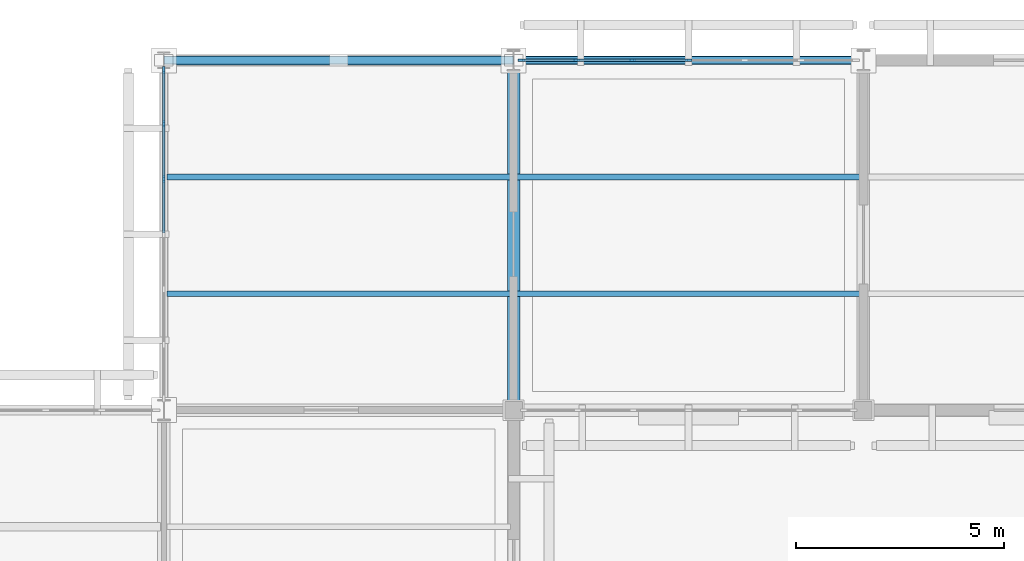
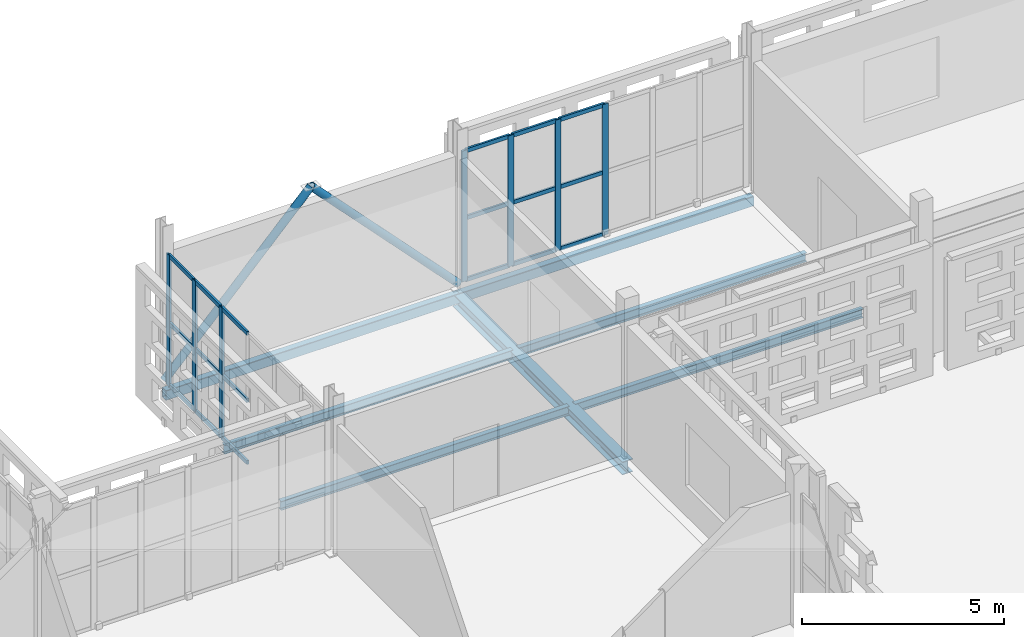
# One storey, part 51 of 203: 27 members, 7 beams, 2 elements without a shape of their own.
"""IFC4 building model written with IfcOpenShell, lengths in metres."""

from ifc_helpers import new_model, si_unit, direction, frame, origin, origin_2d, place, context, subcontext, project, spatial, rectangle, hollow_rectangle, hollow_circle, i_section, extrude, material, layer, layer_set, material_profile, profile_set, type_object, element, aggregate, save


model = new_model("IFC4")

# Units and contexts
model_context = context("Model", 3, precision=1e-05, world=origin(), true_north=direction((0.0, 1.0)))
body_context = subcontext(model_context, "Body", "Model", "MODEL_VIEW")
ifc_project = project(units=[si_unit("LENGTHUNIT", "METRE"), si_unit("AREAUNIT", "SQUARE_METRE"), si_unit("VOLUMEUNIT", "CUBIC_METRE"), si_unit("PLANEANGLEUNIT", "RADIAN"), si_unit("MASSUNIT", "GRAM", prefix="KILO")], contexts=[model_context])

# Site, building, storey
site_placement = place(None, origin())
site = spatial("IfcSite", under=ifc_project, at=site_placement, CompositionType="ELEMENT")
building_placement = place(site_placement, origin())
building = spatial("IfcBuilding", under=site, at=building_placement, Name="Varnapada Polytechnic", CompositionType="ELEMENT")
storey_placement = place(building_placement, frame((0.0, 0.0, 4.800048828125)))
storey = spatial("IfcBuildingStorey", under=building, at=storey_placement, Name="L01", CompositionType="ELEMENT", Elevation=4.800048828125)

# Beams
ifc_material_1 = material(Name="Steel S355", Category="steel")
ifc_material_profile_1 = material_profile(ifc_material_1, i_section(OverallWidth=0.135009765625, OverallDepth=0.27001953125, WebThickness=0.006591796875, FlangeThickness=0.01025390625, FilletRadius=0.014892578125, at=origin_2d()), Name="IPE 270")
ifc_profile_set_1 = profile_set([ifc_material_profile_1], Name="Steel S355")
beam_type_1 = type_object("IfcBeamType", Name="Mezzanine heavy steel joist SJ-03 (IPE 270)", PredefinedType="JOIST", material=ifc_profile_set_1)
for number, where, z_axis, x_axis, name in (
    (1, (50.47998046875, 120.39990234375, -0.39501953125), (1.0, 0.0, 0.0), (0.0, 1.0, 0.0), "L01 floor joist 7/15.1"),
    (2, (50.47998046875, 123.199951171875, -0.39501953125), (1.0, 0.0, 0.0), (0.0, 1.0, 0.0), "L01 floor joist 7/15.2"),
):
    element("IfcBeam", number, at=place(storey_placement, frame(where, z_axis=z_axis, x_axis=x_axis)), inside=storey, type_object=beam_type_1, Name=name, PredefinedType="JOIST", context=body_context, shape_type="SweptSolid", body=[
        extrude(i_section(OverallWidth=0.135009765625, OverallDepth=0.27001953125, WebThickness=0.006591796875, FlangeThickness=0.01025390625, FilletRadius=0.014892578125, at=origin_2d()), origin(), (0.0, 0.0, 1.0), 8.239990234375),
    ])
for number, where, z_axis, x_axis, name in (
    (3, (58.8798828125, 120.39990234375, -0.39501953125), (1.0, 0.0, 0.0), (0.0, 1.0, 0.0), "L01 floor joist 8/15.1"),
    (4, (58.8798828125, 123.199951171875, -0.39501953125), (1.0, 0.0, 0.0), (0.0, 1.0, 0.0), "L01 floor joist 8/15.2"),
):
    element("IfcBeam", number, at=place(storey_placement, frame(where, z_axis=z_axis, x_axis=x_axis)), inside=storey, type_object=beam_type_1, Name=name, PredefinedType="JOIST", context=body_context, shape_type="SweptSolid", body=[
        extrude(i_section(OverallWidth=0.135009765625, OverallDepth=0.27001953125, WebThickness=0.006591796875, FlangeThickness=0.01025390625, FilletRadius=0.014892578125, at=origin_2d()), origin(), (0.0, 0.0, 1.0), 8.240234375),
    ])

# Curtain wall, members
ifc_material_2 = material(Name="Double low-E laminated glass", Category="glass")
ifc_layer = layer(ifc_material_2, 0.159912109375)
ifc_layer_set = layer_set([ifc_layer], Name="Double low-E laminated glass")
curtain_wall_type = type_object("IfcCurtainWallType", Name="Curtain Wall CW-02", PredefinedType="NOTDEFINED", material=ifc_layer_set)
curtain_wall_1_placement = place(storey_placement, origin())
curtain_wall_1 = element("IfcCurtainWall", 5, at=curtain_wall_1_placement, inside=storey, type_object=curtain_wall_type, Name="L01 unitised curtain wall CW-02 (54)", PredefinedType="NOTDEFINED")
ifc_material_3 = material(Name="Anodised aluminium", Category="aluminium")
ifc_material_profile_2 = material_profile(ifc_material_3, rectangle(XDim=0.06005859375, YDim=0.159912109375, at=origin_2d()), Name="ALU M60x160")
ifc_profile_set_2 = profile_set([ifc_material_profile_2], Name="Anodised aluminium")
member_type_1 = type_object("IfcMemberType", Name="Mullion M-01", PredefinedType="MULLION", material=ifc_profile_set_2)
member_1_placement = place(storey_placement, frame((50.39990234375, 123.14990234375, 0.0), z_axis=(0.0, 0.0, 1.0), x_axis=(-1.0, 0.0, 0.0)))
member_1 = element("IfcMember", 6, at=member_1_placement, type_object=member_type_1, Name="CW-02 mullion 5", PredefinedType="MULLION", context=body_context, shape_type="SweptSolid", body=[
    extrude(rectangle(XDim=0.06005859375, YDim=0.159912109375, at=origin_2d()), origin(), (0.0, 0.0, 1.0), 3.9599609375),
])
member_2_placement = place(storey_placement, frame((50.39990234375, 124.47509765625, 0.0), z_axis=(0.0, 0.0, 1.0), x_axis=(-1.0, 0.0, 0.0)))
member_2 = element("IfcMember", 7, at=member_2_placement, type_object=member_type_1, Name="CW-02 mullion 6", PredefinedType="MULLION", context=body_context, shape_type="SweptSolid", body=[
    extrude(rectangle(XDim=0.06005859375, YDim=0.159912109375, at=origin_2d()), origin(), (0.0, 0.0, 1.0), 3.9599609375),
])
member_3_placement = place(storey_placement, frame((50.39990234375, 125.77001953125, 0.0), z_axis=(0.0, 0.0, 1.0), x_axis=(-1.0, 0.0, 0.0)))
member_3 = element("IfcMember", 8, at=member_3_placement, type_object=member_type_1, Name="CW-02 mullion 7", PredefinedType="MULLION", context=body_context, shape_type="SweptSolid", body=[
    extrude(rectangle(XDim=0.06005859375, YDim=0.159912109375, at=origin_2d()), origin(), (0.0, 0.0, 1.0), 3.9599609375),
])

curtain_wall_2_placement = place(storey_placement, origin())
curtain_wall_2 = element("IfcCurtainWall", 9, at=curtain_wall_2_placement, inside=storey, type_object=curtain_wall_type, Name="L01 unitised curtain wall CW-02 (60)", PredefinedType="NOTDEFINED")
member_4_placement = place(storey_placement, frame((58.97998046875, 126.0, 0.0), z_axis=(0.0, 0.0, 1.0), x_axis=(0.0, 1.0, 0.0)))
member_4 = element("IfcMember", 10, at=member_4_placement, type_object=member_type_1, Name="CW-02 mullion 1", PredefinedType="MULLION", context=body_context, shape_type="SweptSolid", body=[
    extrude(rectangle(XDim=0.06005859375, YDim=0.159912109375, at=origin_2d()), origin(), (0.0, 0.0, 1.0), 3.9599609375),
])
member_5_placement = place(storey_placement, frame((60.300048828125, 126.0, 0.0), z_axis=(0.0, 0.0, 1.0), x_axis=(0.0, 1.0, 0.0)))
member_5 = element("IfcMember", 11, at=member_5_placement, type_object=member_type_1, Name="CW-02 mullion 2", PredefinedType="MULLION", context=body_context, shape_type="SweptSolid", body=[
    extrude(rectangle(XDim=0.06005859375, YDim=0.159912109375, at=origin_2d()), origin(), (0.0, 0.0, 1.0), 3.9599609375),
])
member_6_placement = place(storey_placement, frame((61.64990234375, 126.0, 0.0), z_axis=(0.0, 0.0, 1.0), x_axis=(0.0, 1.0, 0.0)))
member_6 = element("IfcMember", 12, at=member_6_placement, type_object=member_type_1, Name="CW-02 mullion 3", PredefinedType="MULLION", context=body_context, shape_type="SweptSolid", body=[
    extrude(rectangle(XDim=0.06005859375, YDim=0.159912109375, at=origin_2d()), origin(), (0.0, 0.0, 1.0), 3.9599609375),
])
member_7_placement = place(storey_placement, frame((63.0, 126.0, 0.0), z_axis=(0.0, 0.0, 1.0), x_axis=(0.0, 1.0, 0.0)))
member_7 = element("IfcMember", 13, at=member_7_placement, type_object=member_type_1, Name="CW-02 mullion 4", PredefinedType="MULLION", context=body_context, shape_type="SweptSolid", body=[
    extrude(rectangle(XDim=0.06005859375, YDim=0.159912109375, at=origin_2d()), origin(), (0.0, 0.0, 1.0), 3.9599609375),
])

# Beam
ifc_material_profile_3 = material_profile(ifc_material_1, i_section(OverallWidth=0.300048828125, OverallDepth=0.389892578125, WebThickness=0.010986328125, FlangeThickness=0.01904296875, FilletRadius=0.027099609375, at=origin_2d()), Name="HEA 400")
ifc_profile_set_3 = profile_set([ifc_material_profile_3], Name="Steel S355")
beam_type_2 = type_object("IfcBeamType", Name="Steel roof primary girder SG-01 (HEA 400)", PredefinedType="BEAM", material=ifc_profile_set_3)
beam_1_placement = place(storey_placement, frame((58.800048828125, 117.60009765625, -0.465087890625), z_axis=(0.0, 1.0, 0.0), x_axis=(-1.0, 0.0, 0.0)))
element("IfcBeam", 14, at=beam_1_placement, inside=storey, type_object=beam_type_2, Name="L01 beam Y 15-16 at X8", PredefinedType="BEAM", context=body_context, shape_type="SweptSolid", body=[
    extrude(i_section(OverallWidth=0.300048828125, OverallDepth=0.389892578125, WebThickness=0.010986328125, FlangeThickness=0.01904296875, FilletRadius=0.027099609375, at=origin_2d()), origin(), (0.0, 0.0, 1.0), 8.39990234375),
])

# Member
ifc_material_profile_4 = material_profile(ifc_material_3, rectangle(XDim=0.06005859375, YDim=0.1201171875, at=origin_2d()), Name="ALU T60x120")
ifc_profile_set_4 = profile_set([ifc_material_profile_4], Name="Anodised aluminium")
member_type_2 = type_object("IfcMemberType", Name="Transom T-01", PredefinedType="USERDEFINED", material=ifc_profile_set_4)
member_8_placement = place(storey_placement, frame((50.39990234375, 121.85498046875, 0.030029296875), z_axis=(0.0, 1.0, 0.0), x_axis=(-1.0, 0.0, 0.0)))
member_8 = element("IfcMember", 15, at=member_8_placement, type_object=member_type_2, Name="CW-02 transom 4.1", ObjectType="TRANSOM", PredefinedType="USERDEFINED", context=body_context, shape_type="SweptSolid", body=[
    extrude(rectangle(XDim=0.06005859375, YDim=0.1201171875, at=origin_2d()), origin(), (0.0, 0.0, 1.0), 1.26513671875),
])

member_9_placement = place(storey_placement, frame((50.39990234375, 121.85498046875, 1.900634765625), z_axis=(0.0, 1.0, 0.0), x_axis=(-1.0, 0.0, 0.0)))
member_9 = element("IfcMember", 16, at=member_9_placement, type_object=member_type_2, Name="CW-02 transom 4.2", ObjectType="TRANSOM", PredefinedType="USERDEFINED", context=body_context, shape_type="SweptSolid", body=[
    extrude(rectangle(XDim=0.06005859375, YDim=0.1201171875, at=origin_2d()), origin(), (0.0, 0.0, 1.0), 1.26513671875),
])

member_10_placement = place(storey_placement, frame((50.39990234375, 121.85498046875, 3.929931640625), z_axis=(0.0, 1.0, 0.0), x_axis=(-1.0, 0.0, 0.0)))
member_10 = element("IfcMember", 17, at=member_10_placement, type_object=member_type_2, Name="CW-02 transom 4.3", ObjectType="TRANSOM", PredefinedType="USERDEFINED", context=body_context, shape_type="SweptSolid", body=[
    extrude(rectangle(XDim=0.06005859375, YDim=0.1201171875, at=origin_2d()), origin(), (0.0, 0.0, 1.0), 1.26513671875),
])

member_11_placement = place(storey_placement, frame((50.39990234375, 123.179931640625, 0.030029296875), z_axis=(0.0, 1.0, 0.0), x_axis=(-1.0, 0.0, 0.0)))
member_11 = element("IfcMember", 18, at=member_11_placement, type_object=member_type_2, Name="CW-02 transom 5.1", ObjectType="TRANSOM", PredefinedType="USERDEFINED", context=body_context, shape_type="SweptSolid", body=[
    extrude(rectangle(XDim=0.06005859375, YDim=0.1201171875, at=origin_2d()), origin(), (0.0, 0.0, 1.0), 1.26513671875),
])

member_12_placement = place(storey_placement, frame((50.39990234375, 123.179931640625, 1.900634765625), z_axis=(0.0, 1.0, 0.0), x_axis=(-1.0, 0.0, 0.0)))
member_12 = element("IfcMember", 19, at=member_12_placement, type_object=member_type_2, Name="CW-02 transom 5.2", ObjectType="TRANSOM", PredefinedType="USERDEFINED", context=body_context, shape_type="SweptSolid", body=[
    extrude(rectangle(XDim=0.06005859375, YDim=0.1201171875, at=origin_2d()), origin(), (0.0, 0.0, 1.0), 1.26513671875),
])

member_13_placement = place(storey_placement, frame((50.39990234375, 123.179931640625, 3.929931640625), z_axis=(0.0, 1.0, 0.0), x_axis=(-1.0, 0.0, 0.0)))
member_13 = element("IfcMember", 20, at=member_13_placement, type_object=member_type_2, Name="CW-02 transom 5.3", ObjectType="TRANSOM", PredefinedType="USERDEFINED", context=body_context, shape_type="SweptSolid", body=[
    extrude(rectangle(XDim=0.06005859375, YDim=0.1201171875, at=origin_2d()), origin(), (0.0, 0.0, 1.0), 1.26513671875),
])

member_14_placement = place(storey_placement, frame((50.39990234375, 124.5048828125, 0.030029296875), z_axis=(0.0, 1.0, 0.0), x_axis=(-1.0, 0.0, 0.0)))
member_14 = element("IfcMember", 21, at=member_14_placement, type_object=member_type_2, Name="CW-02 transom 6.1", ObjectType="TRANSOM", PredefinedType="USERDEFINED", context=body_context, shape_type="SweptSolid", body=[
    extrude(rectangle(XDim=0.06005859375, YDim=0.1201171875, at=origin_2d()), origin(), (0.0, 0.0, 1.0), 1.235107421875),
])

member_15_placement = place(storey_placement, frame((50.39990234375, 124.5048828125, 1.900634765625), z_axis=(0.0, 1.0, 0.0), x_axis=(-1.0, 0.0, 0.0)))
member_15 = element("IfcMember", 22, at=member_15_placement, type_object=member_type_2, Name="CW-02 transom 6.2", ObjectType="TRANSOM", PredefinedType="USERDEFINED", context=body_context, shape_type="SweptSolid", body=[
    extrude(rectangle(XDim=0.06005859375, YDim=0.1201171875, at=origin_2d()), origin(), (0.0, 0.0, 1.0), 1.235107421875),
])

member_16_placement = place(storey_placement, frame((50.39990234375, 124.5048828125, 3.929931640625), z_axis=(0.0, 1.0, 0.0), x_axis=(-1.0, 0.0, 0.0)))
member_16 = element("IfcMember", 23, at=member_16_placement, type_object=member_type_2, Name="CW-02 transom 6.3", ObjectType="TRANSOM", PredefinedType="USERDEFINED", context=body_context, shape_type="SweptSolid", body=[
    extrude(rectangle(XDim=0.06005859375, YDim=0.1201171875, at=origin_2d()), origin(), (0.0, 0.0, 1.0), 1.235107421875),
])

aggregate(curtain_wall_1, [member_1, member_2, member_3, member_8, member_9, member_10, member_11, member_12, member_13, member_14, member_15, member_16])

member_17_placement = place(storey_placement, frame((59.010009765625, 126.0, 0.030029296875), z_axis=(1.0, 0.0, 0.0), x_axis=(0.0, 1.0, 0.0)))
member_17 = element("IfcMember", 24, at=member_17_placement, type_object=member_type_2, Name="CW-02 transom 1.1", ObjectType="TRANSOM", PredefinedType="USERDEFINED", context=body_context, shape_type="SweptSolid", body=[
    extrude(rectangle(XDim=0.06005859375, YDim=0.1201171875, at=origin_2d()), origin(), (0.0, 0.0, 1.0), 1.260009765625),
])

member_18_placement = place(storey_placement, frame((59.010009765625, 126.0, 1.900634765625), z_axis=(1.0, 0.0, 0.0), x_axis=(0.0, 1.0, 0.0)))
member_18 = element("IfcMember", 25, at=member_18_placement, type_object=member_type_2, Name="CW-02 transom 1.2", ObjectType="TRANSOM", PredefinedType="USERDEFINED", context=body_context, shape_type="SweptSolid", body=[
    extrude(rectangle(XDim=0.06005859375, YDim=0.1201171875, at=origin_2d()), origin(), (0.0, 0.0, 1.0), 1.260009765625),
])

member_19_placement = place(storey_placement, frame((59.010009765625, 126.0, 3.929931640625), z_axis=(1.0, 0.0, 0.0), x_axis=(0.0, 1.0, 0.0)))
member_19 = element("IfcMember", 26, at=member_19_placement, type_object=member_type_2, Name="CW-02 transom 1.3", ObjectType="TRANSOM", PredefinedType="USERDEFINED", context=body_context, shape_type="SweptSolid", body=[
    extrude(rectangle(XDim=0.06005859375, YDim=0.1201171875, at=origin_2d()), origin(), (0.0, 0.0, 1.0), 1.260009765625),
])

member_20_placement = place(storey_placement, frame((60.330078125, 126.0, 0.030029296875), z_axis=(1.0, 0.0, 0.0), x_axis=(0.0, 1.0, 0.0)))
member_20 = element("IfcMember", 27, at=member_20_placement, type_object=member_type_2, Name="CW-02 transom 2.1", ObjectType="TRANSOM", PredefinedType="USERDEFINED", context=body_context, shape_type="SweptSolid", body=[
    extrude(rectangle(XDim=0.06005859375, YDim=0.1201171875, at=origin_2d()), origin(), (0.0, 0.0, 1.0), 1.2900390625),
])

member_21_placement = place(storey_placement, frame((60.330078125, 126.0, 1.900634765625), z_axis=(1.0, 0.0, 0.0), x_axis=(0.0, 1.0, 0.0)))
member_21 = element("IfcMember", 28, at=member_21_placement, type_object=member_type_2, Name="CW-02 transom 2.2", ObjectType="TRANSOM", PredefinedType="USERDEFINED", context=body_context, shape_type="SweptSolid", body=[
    extrude(rectangle(XDim=0.06005859375, YDim=0.1201171875, at=origin_2d()), origin(), (0.0, 0.0, 1.0), 1.2900390625),
])

member_22_placement = place(storey_placement, frame((60.330078125, 126.0, 3.929931640625), z_axis=(1.0, 0.0, 0.0), x_axis=(0.0, 1.0, 0.0)))
member_22 = element("IfcMember", 29, at=member_22_placement, type_object=member_type_2, Name="CW-02 transom 2.3", ObjectType="TRANSOM", PredefinedType="USERDEFINED", context=body_context, shape_type="SweptSolid", body=[
    extrude(rectangle(XDim=0.06005859375, YDim=0.1201171875, at=origin_2d()), origin(), (0.0, 0.0, 1.0), 1.2900390625),
])

member_23_placement = place(storey_placement, frame((61.679931640625, 126.0, 0.030029296875), z_axis=(1.0, 0.0, 0.0), x_axis=(0.0, 1.0, 0.0)))
member_23 = element("IfcMember", 30, at=member_23_placement, type_object=member_type_2, Name="CW-02 transom 3.1", ObjectType="TRANSOM", PredefinedType="USERDEFINED", context=body_context, shape_type="SweptSolid", body=[
    extrude(rectangle(XDim=0.06005859375, YDim=0.1201171875, at=origin_2d()), origin(), (0.0, 0.0, 1.0), 1.2900390625),
])

member_24_placement = place(storey_placement, frame((61.679931640625, 126.0, 1.900634765625), z_axis=(1.0, 0.0, 0.0), x_axis=(0.0, 1.0, 0.0)))
member_24 = element("IfcMember", 31, at=member_24_placement, type_object=member_type_2, Name="CW-02 transom 3.2", ObjectType="TRANSOM", PredefinedType="USERDEFINED", context=body_context, shape_type="SweptSolid", body=[
    extrude(rectangle(XDim=0.06005859375, YDim=0.1201171875, at=origin_2d()), origin(), (0.0, 0.0, 1.0), 1.2900390625),
])

member_25_placement = place(storey_placement, frame((61.679931640625, 126.0, 3.929931640625), z_axis=(1.0, 0.0, 0.0), x_axis=(0.0, 1.0, 0.0)))
member_25 = element("IfcMember", 32, at=member_25_placement, type_object=member_type_2, Name="CW-02 transom 3.3", ObjectType="TRANSOM", PredefinedType="USERDEFINED", context=body_context, shape_type="SweptSolid", body=[
    extrude(rectangle(XDim=0.06005859375, YDim=0.1201171875, at=origin_2d()), origin(), (0.0, 0.0, 1.0), 1.2900390625),
])

aggregate(curtain_wall_2, [member_4, member_5, member_6, member_7, member_17, member_18, member_19, member_20, member_21, member_22, member_23, member_24, member_25])

# Members
ifc_material_profile_5 = material_profile(ifc_material_1, hollow_circle(Radius=0.109619140625, WallThickness=0.008056640625, at=origin_2d()), Name="CHS 219.1x8.0")
ifc_profile_set_5 = profile_set([ifc_material_profile_5], Name="Steel S355")
member_type_3 = type_object("IfcMemberType", Name="Workshop hall lateral K/X wall brace BR-01 (CHS 219.1x8.0)", PredefinedType="BRACE", material=ifc_profile_set_5)
for number, where, z_axis, x_axis, name in (
    (33, (50.39990234375, 126.0, 0.0), (0.69050056554, 0.0, 0.723331852602), (0.0, 1.0, 0.0), "L01 lateral chevron brace 3A"),
    (34, (58.800048828125, 126.0, 0.0), (-0.690479565127, 0.0, 0.723351899245), (0.0, -1.0, 0.0), "L01 lateral chevron brace 3B"),
):
    element("IfcMember", number, at=place(storey_placement, frame(where, z_axis=z_axis, x_axis=x_axis)), inside=storey, type_object=member_type_3, Name=name, PredefinedType="BRACE", context=body_context, shape_type="SweptSolid", body=[
        extrude(hollow_circle(Radius=0.109619140625, WallThickness=0.008056640625, at=origin_2d()), origin(), (0.0, 0.0, 1.0), 6.082763671875),
    ])

# Beams
ifc_material_profile_6 = material_profile(ifc_material_1, hollow_rectangle(XDim=0.199951171875, YDim=0.300048828125, WallThickness=0.010009765625, InnerFilletRadius=0.010009765625, OuterFilletRadius=0.02001953125, at=origin_2d()), Name="RHS 300x200x10")
ifc_profile_set_6 = profile_set([ifc_material_profile_6], Name="Steel S355")
beam_type_3 = type_object("IfcBeamType", Name="Workshop steel spandrel tie SP-03 (RHS 300x200x10)", PredefinedType="SPANDREL", material=ifc_profile_set_6)
beam_2_placement = place(storey_placement, frame((50.39990234375, 126.0, -0.41015625), z_axis=(1.0, 0.0, 0.0), x_axis=(0.0, 1.0, 0.0)))
element("IfcBeam", 35, at=beam_2_placement, inside=storey, type_object=beam_type_3, Name="L01 beam X 7-8 at Y16", PredefinedType="SPANDREL", context=body_context, shape_type="SweptSolid", body=[
    extrude(hollow_rectangle(XDim=0.199951171875, YDim=0.300048828125, WallThickness=0.010009765625, InnerFilletRadius=0.010009765625, OuterFilletRadius=0.02001953125, at=origin_2d()), origin(), (0.0, 0.0, 1.0), 8.400146484375),
])
beam_3_placement = place(storey_placement, frame((58.800048828125, 126.0, -0.41015625), z_axis=(1.0, 0.0, 0.0), x_axis=(0.0, 1.0, 0.0)))
element("IfcBeam", 36, at=beam_3_placement, inside=storey, type_object=beam_type_3, Name="L01 beam X 8-9 at Y16", PredefinedType="SPANDREL", context=body_context, shape_type="SweptSolid", body=[
    extrude(hollow_rectangle(XDim=0.199951171875, YDim=0.300048828125, WallThickness=0.010009765625, InnerFilletRadius=0.010009765625, OuterFilletRadius=0.02001953125, at=origin_2d()), origin(), (0.0, 0.0, 1.0), 8.39990234375),
])

save(model, "model.ifc")
